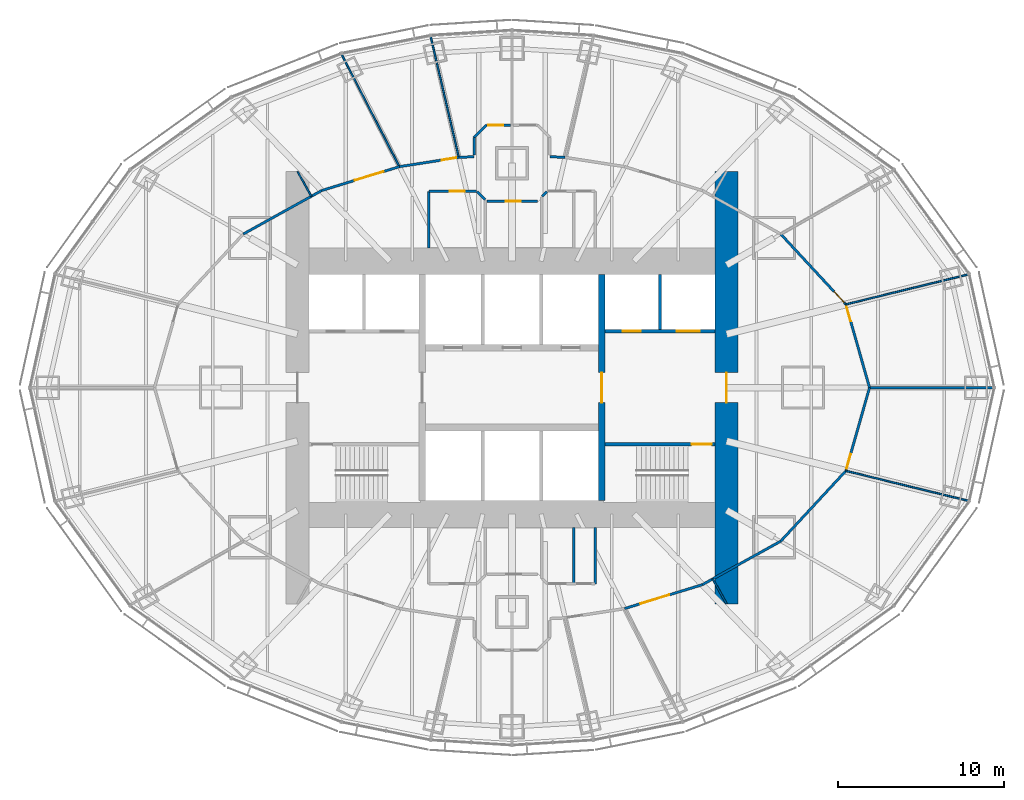
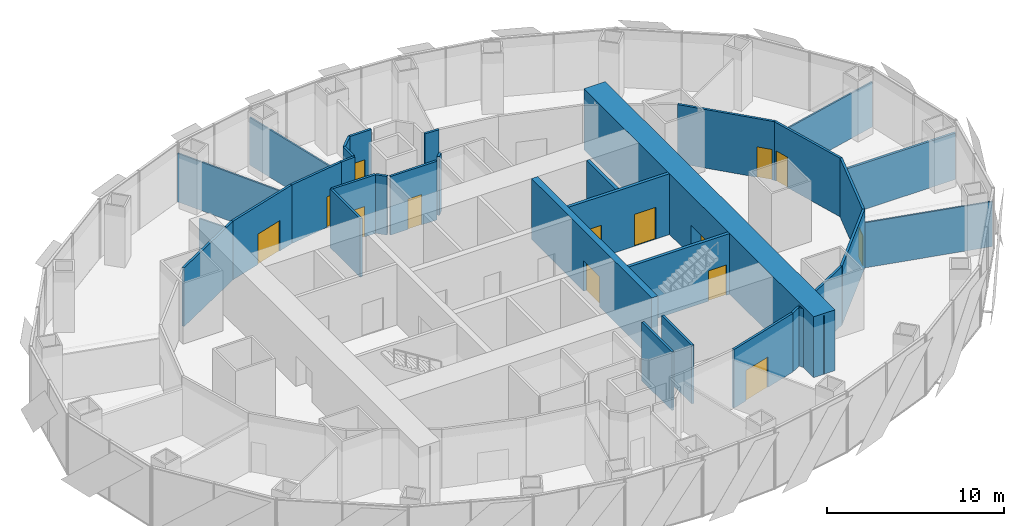
# One storey, part 12 of 17: 33 walls, 14 doors, 14 openings.
"""IFC4 building model written with IfcOpenShell, lengths in metres."""

from ifc_helpers import new_model, si_unit, direction, frame, frame_2d, origin, place, context, subcontext, project, spatial, rectangle, extrude, material, layer, layer_set, type_object, element, fill, save


model = new_model("IFC4")

# Units and contexts
model_context = context("Model", 3, precision=1e-05, world=origin(), true_north=direction((0.0, 1.0)))
body_context = subcontext(model_context, "Body", "Model", "MODEL_VIEW")
ifc_project = project(units=[si_unit("LENGTHUNIT", "METRE"), si_unit("AREAUNIT", "SQUARE_METRE"), si_unit("VOLUMEUNIT", "CUBIC_METRE"), si_unit("PLANEANGLEUNIT", "RADIAN"), si_unit("MASSUNIT", "GRAM", prefix="KILO")], contexts=[model_context])

# Site, building, storey
site_placement = place(None, origin())
site = spatial("IfcSite", under=ifc_project, at=site_placement, CompositionType="ELEMENT")
building_placement = place(site_placement, origin())
building = spatial("IfcBuilding", under=site, at=building_placement, Name="Lantaw Convention Tower", CompositionType="ELEMENT")
storey_placement = place(building_placement, frame((0.0, 0.0, 155.199951171875)))
storey = spatial("IfcBuildingStorey", under=building, at=storey_placement, Name="L36", CompositionType="ELEMENT", Elevation=155.199951171875)

# Wall, opening, door
ifc_material_1 = material(Name="Concrete C60/75", Category="concrete")
ifc_layer_1 = layer(ifc_material_1, 1.39990234375)
ifc_layer_set_1 = layer_set([ifc_layer_1], Name="Core wall 1400")
wall_type_1 = type_object("IfcWallType", Name="Core wall 1400", PredefinedType="SHEAR", material=ifc_layer_set_1)
wall_1_placement = place(storey_placement, frame((12.89990234375, -13.0, 0.0), z_axis=(0.0, 0.0, 1.0), x_axis=(0.0, 1.0, 0.0)))
wall_1 = element("IfcWall", 1, at=wall_1_placement, inside=storey, type_object=wall_type_1, Name="Core wall E", PredefinedType="SHEAR", context=body_context, shape_type="SweptSolid", body=[
    extrude(rectangle(XDim=26.0, YDim=1.39990234375, at=frame_2d((13.0, 0.0))), origin(), (0.0, 0.0, 1.0), 4.199951171875),
])
opening_1_placement = place(wall_1_placement, frame((12.10009765625, 0.0, 0.0)))
opening_1 = element("IfcOpeningElement", 2, at=opening_1_placement, cuts=wall_1, Name="Opening L36.05", PredefinedType="OPENING", context=body_context, shape_type="SweptSolid", body=[
    extrude(rectangle(XDim=1.800048828125, YDim=2.10009765625, at=frame_2d((0.89990234375, 1.050048828125))), frame((0.0, 0.7099609375, 0.0), z_axis=(0.0, -1.0, 0.0), x_axis=(1.0, 0.0, 0.0)), (0.0, 0.0, 1.0), 1.419921875),
])
ifc_material_2 = material(Name="Steel, fire rated", Category="steel")
door_type_1 = type_object("IfcDoorType", Name="Lobby double door FD90", OperationType="DOUBLE_DOOR_DOUBLE_SWING", PredefinedType="DOOR", material=ifc_material_2)
door_1_placement = place(opening_1_placement, origin())
door_1 = element("IfcDoor", 3, at=door_1_placement, inside=storey, type_object=door_type_1, Name="Firefighting lobby door", OperationType="DOUBLE_DOOR_DOUBLE_SWING", OverallHeight=2.10009765625, OverallWidth=1.800048828125, PredefinedType="DOOR", context=body_context, shape_type="SweptSolid", body=[
    extrude(rectangle(XDim=1.800048828125, YDim=2.10009765625, at=frame_2d((0.89990234375, 1.050048828125))), frame((0.0, 0.02490234375, 0.0), z_axis=(0.0, -1.0, 0.0), x_axis=(1.0, 0.0, 0.0)), (0.0, 0.0, 1.0), 0.050048828125),
])
fill(opening_1, door_1)

ifc_layer_2 = layer(ifc_material_1, 0.199951171875)
ifc_layer_set_2 = layer_set([ifc_layer_2], Name="Core wall 200")
wall_type_2 = type_object("IfcWallType", Name="Core wall 200", PredefinedType="SHEAR", material=ifc_layer_set_2)
wall_2_placement = place(storey_placement, frame((5.60009765625, -3.39990234375, 0.0), z_axis=(0.0, 0.0, 1.0), x_axis=(1.0, 0.0, 0.0)))
wall_2 = element("IfcWall", 4, at=wall_2_placement, inside=storey, type_object=wall_type_2, Name="Core wall ES", PredefinedType="SHEAR", context=body_context, shape_type="SweptSolid", body=[
    extrude(rectangle(XDim=6.599853515625, YDim=0.199951171875, at=frame_2d((3.2998046875, 0.0))), origin(), (0.0, 0.0, 1.0), 4.199951171875),
])
opening_2_placement = place(wall_2_placement, frame((5.199951171875, 0.0, 0.0)))
opening_2 = element("IfcOpeningElement", 5, at=opening_2_placement, cuts=wall_2, Name="Opening L36.03", PredefinedType="OPENING", context=body_context, shape_type="SweptSolid", body=[
    extrude(rectangle(XDim=1.199951171875, YDim=2.10009765625, at=frame_2d((0.60009765625, 1.050048828125))), frame((0.0, 0.10986328125, 0.0), z_axis=(0.0, -1.0, 0.0), x_axis=(1.0, 0.0, 0.0)), (0.0, 0.0, 1.0), 0.219970703125),
])
door_type_2 = type_object("IfcDoorType", Name="Stair door FD90", OperationType="SINGLE_SWING_RIGHT", PredefinedType="DOOR", material=ifc_material_2)
door_2_placement = place(opening_2_placement, origin())
door_2 = element("IfcDoor", 6, at=door_2_placement, inside=storey, type_object=door_type_2, Name="Exit stair door", OperationType="SINGLE_SWING_RIGHT", OverallHeight=2.10009765625, OverallWidth=1.199951171875, PredefinedType="DOOR", context=body_context, shape_type="SweptSolid", body=[
    extrude(rectangle(XDim=1.199951171875, YDim=2.10009765625, at=frame_2d((0.60009765625, 1.050048828125))), frame((0.0, 0.02490234375, 0.0), z_axis=(0.0, -1.0, 0.0), x_axis=(1.0, 0.0, 0.0)), (0.0, 0.0, 1.0), 0.050048828125),
])
fill(opening_2, door_2)

ifc_layer_3 = layer(ifc_material_1, 0.39990234375)
ifc_layer_set_3 = layer_set([ifc_layer_3], Name="Core wall 400")
wall_type_3 = type_object("IfcWallType", Name="Core wall 400", PredefinedType="SHEAR", material=ifc_layer_set_3)
wall_3_placement = place(storey_placement, frame((5.39990234375, -6.800048828125, 0.0), z_axis=(0.0, 0.0, 1.0), x_axis=(0.0, 1.0, 0.0)))
wall_3 = element("IfcWall", 7, at=wall_3_placement, inside=storey, type_object=wall_type_3, Name="Core wall XE", PredefinedType="SHEAR", context=body_context, shape_type="SweptSolid", body=[
    extrude(rectangle(XDim=13.60009765625, YDim=0.39990234375, at=frame_2d((6.800048828125, 0.0))), origin(), (0.0, 0.0, 1.0), 4.199951171875),
])
opening_3_placement = place(wall_3_placement, frame((5.89990234375, 0.0, 0.0)))
opening_3 = element("IfcOpeningElement", 8, at=opening_3_placement, cuts=wall_3, Name="Opening L36.01", PredefinedType="OPENING", context=body_context, shape_type="SweptSolid", body=[
    extrude(rectangle(XDim=1.800048828125, YDim=2.10009765625, at=frame_2d((0.89990234375, 1.050048828125))), frame((0.0, 0.2099609375, 0.0), z_axis=(0.0, -1.0, 0.0), x_axis=(1.0, 0.0, 0.0)), (0.0, 0.0, 1.0), 0.419921875),
])
door_3_placement = place(opening_3_placement, origin())
door_3 = element("IfcDoor", 9, at=door_3_placement, inside=storey, type_object=door_type_1, Name="Lift lobby door", OperationType="DOUBLE_DOOR_DOUBLE_SWING", OverallHeight=2.10009765625, OverallWidth=1.800048828125, PredefinedType="DOOR", context=body_context, shape_type="SweptSolid", body=[
    extrude(rectangle(XDim=1.800048828125, YDim=2.10009765625, at=frame_2d((0.89990234375, 1.050048828125))), frame((0.0, 0.02490234375, 0.0), z_axis=(0.0, -1.0, 0.0), x_axis=(1.0, 0.0, 0.0)), (0.0, 0.0, 1.0), 0.050048828125),
])
fill(opening_3, door_3)

ifc_material_3 = material(Name="Gypsum board on steel studs, fire rated", Category="steel")
ifc_layer_4 = layer(ifc_material_3, 0.14990234375)
ifc_layer_set_4 = layer_set([ifc_layer_4], Name="Corridor wall 150 EI 60")
wall_type_4 = type_object("IfcWallType", Name="Corridor wall 150 EI 60", PredefinedType="PARTITIONING", material=ifc_layer_set_4)
wall_4_placement = place(storey_placement, frame((21.5, 0.0, 0.0), z_axis=(0.0, 0.0, 1.0), x_axis=(-0.273177936169, 0.961963520717, 0.0)))
wall_4 = element("IfcWall", 10, at=wall_4_placement, inside=storey, type_object=wall_type_4, Name="Corridor wall 150", PredefinedType="PARTITIONING", context=body_context, shape_type="SweptSolid", body=[
    extrude(rectangle(XDim=5.2041015625, YDim=0.14990234375, at=frame_2d((2.60205078125, 0.0))), origin(), (0.0, 0.0, 1.0), 4.050048828125),
])
opening_4_placement = place(wall_4_placement, frame((4.154052734375, 0.0, 0.0)))
opening_4 = element("IfcOpeningElement", 11, at=opening_4_placement, cuts=wall_4, Name="Opening L36.22", PredefinedType="OPENING", context=body_context, shape_type="SweptSolid", body=[
    extrude(rectangle(XDim=0.89990234375, YDim=2.10009765625, at=frame_2d((0.449951171875, 1.050048828125))), frame((0.0, 0.0849609375, 0.0), z_axis=(0.0, -1.0, 0.0), x_axis=(1.0, 0.0, 0.0)), (0.0, 0.0, 1.0), 0.169921875),
])
door_type_3 = type_object("IfcDoorType", Name="Office door 900 FD30", OperationType="SINGLE_SWING_LEFT", PredefinedType="DOOR", material=ifc_material_2)
door_4_placement = place(opening_4_placement, origin())
door_4 = element("IfcDoor", 12, at=door_4_placement, inside=storey, type_object=door_type_3, Name="Meeting room door", OperationType="SINGLE_SWING_LEFT", OverallHeight=2.10009765625, OverallWidth=0.89990234375, PredefinedType="DOOR", context=body_context, shape_type="SweptSolid", body=[
    extrude(rectangle(XDim=0.89990234375, YDim=2.10009765625, at=frame_2d((0.449951171875, 1.050048828125))), frame((0.0, 0.02490234375, 0.0), z_axis=(0.0, -1.0, 0.0), x_axis=(1.0, 0.0, 0.0)), (0.0, 0.0, 1.0), 0.050048828125),
])
fill(opening_4, door_4)

wall_5_placement = place(storey_placement, frame((20.078369140625, 5.006103515625, 0.0), z_axis=(0.0, 0.0, 1.0), x_axis=(-0.679724658223, 0.733467374191, 0.0)))
wall_5 = element("IfcWall", 13, at=wall_5_placement, inside=storey, type_object=wall_type_4, Name="Corridor wall 150", PredefinedType="PARTITIONING", context=body_context, shape_type="SweptSolid", body=[
    extrude(rectangle(XDim=5.764892578125, YDim=0.14990234375, at=frame_2d((2.88232421875, 0.0))), origin(), (0.0, 0.0, 1.0), 4.050048828125),
])
opening_5_placement = place(wall_5_placement, frame((0.14990234375, 0.0, 0.0)))
opening_5 = element("IfcOpeningElement", 14, at=opening_5_placement, cuts=wall_5, Name="Opening L36.23", PredefinedType="OPENING", context=body_context, shape_type="SweptSolid", body=[
    extrude(rectangle(XDim=0.89990234375, YDim=2.10009765625, at=frame_2d((0.449951171875, 1.050048828125))), frame((0.0, 0.0849609375, 0.0), z_axis=(0.0, -1.0, 0.0), x_axis=(1.0, 0.0, 0.0)), (0.0, 0.0, 1.0), 0.169921875),
])
door_5_placement = place(opening_5_placement, origin())
door_5 = element("IfcDoor", 15, at=door_5_placement, inside=storey, type_object=door_type_3, Name="Private office door", OperationType="SINGLE_SWING_LEFT", OverallHeight=2.10009765625, OverallWidth=0.89990234375, PredefinedType="DOOR", context=body_context, shape_type="SweptSolid", body=[
    extrude(rectangle(XDim=0.89990234375, YDim=2.10009765625, at=frame_2d((0.449951171875, 1.050048828125))), frame((0.0, 0.02490234375, 0.0), z_axis=(0.0, -1.0, 0.0), x_axis=(1.0, 0.0, 0.0)), (0.0, 0.0, 1.0), 0.050048828125),
])
fill(opening_5, door_5)

wall_6_placement = place(storey_placement, frame((-3.1962890625, 13.844482421875, 0.0), z_axis=(0.0, 0.0, 1.0), x_axis=(-0.98808911792, -0.153882731479, 0.0)))
wall_6 = element("IfcWall", 16, at=wall_6_placement, inside=storey, type_object=wall_type_4, Name="Corridor wall 150", PredefinedType="PARTITIONING", context=body_context, shape_type="SweptSolid", body=[
    extrude(rectangle(XDim=3.6171875, YDim=0.14990234375, at=frame_2d((1.80859375, 0.0))), origin(), (0.0, 0.0, 1.0), 4.050048828125),
])
opening_6_placement = place(wall_6_placement, frame((0.14990234375, 0.0, 0.0)))
opening_6 = element("IfcOpeningElement", 17, at=opening_6_placement, cuts=wall_6, Name="Opening L36.27", PredefinedType="OPENING", context=body_context, shape_type="SweptSolid", body=[
    extrude(rectangle(XDim=0.89990234375, YDim=2.10009765625, at=frame_2d((0.449951171875, 1.050048828125))), frame((0.0, 0.0849609375, 0.0), z_axis=(0.0, -1.0, 0.0), x_axis=(1.0, 0.0, 0.0)), (0.0, 0.0, 1.0), 0.169921875),
])
door_6_placement = place(opening_6_placement, origin())
door_6 = element("IfcDoor", 18, at=door_6_placement, inside=storey, type_object=door_type_3, Name="Private office door", OperationType="SINGLE_SWING_LEFT", OverallHeight=2.10009765625, OverallWidth=0.89990234375, PredefinedType="DOOR", context=body_context, shape_type="SweptSolid", body=[
    extrude(rectangle(XDim=0.89990234375, YDim=2.10009765625, at=frame_2d((0.449951171875, 1.050048828125))), frame((0.0, 0.02490234375, 0.0), z_axis=(0.0, -1.0, 0.0), x_axis=(1.0, 0.0, 0.0)), (0.0, 0.0, 1.0), 0.050048828125),
])
fill(opening_6, door_6)

wall_7_placement = place(storey_placement, frame((-6.7705078125, 13.287841796875, 0.0), z_axis=(0.0, 0.0, 1.0), x_axis=(-0.955892284323, -0.293717450573, 0.0)))
wall_7 = element("IfcWall", 19, at=wall_7_placement, inside=storey, type_object=wall_type_4, Name="Corridor wall 150", PredefinedType="PARTITIONING", context=body_context, shape_type="SweptSolid", body=[
    extrude(rectangle(XDim=4.889892578125, YDim=0.14990234375, at=frame_2d((2.44482421875, 0.0))), origin(), (0.0, 0.0, 1.0), 4.050048828125),
])
opening_7_placement = place(wall_7_placement, frame((1.008544921875, 0.0, 0.0)))
opening_7 = element("IfcOpeningElement", 20, at=opening_7_placement, cuts=wall_7, Name="Opening L36.28", PredefinedType="OPENING", context=body_context, shape_type="SweptSolid", body=[
    extrude(rectangle(XDim=1.800048828125, YDim=2.10009765625, at=frame_2d((0.89990234375, 1.050048828125))), frame((0.0, 0.0849609375, 0.0), z_axis=(0.0, -1.0, 0.0), x_axis=(1.0, 0.0, 0.0)), (0.0, 0.0, 1.0), 0.169921875),
])
door_type_4 = type_object("IfcDoorType", Name="Office double door 1800 FD30", OperationType="DOUBLE_DOOR_DOUBLE_SWING", PredefinedType="DOOR", material=ifc_material_2)
door_7_placement = place(opening_7_placement, origin())
door_7 = element("IfcDoor", 21, at=door_7_placement, inside=storey, type_object=door_type_4, Name="Tenant suite door", OperationType="DOUBLE_DOOR_DOUBLE_SWING", OverallHeight=2.10009765625, OverallWidth=1.800048828125, PredefinedType="DOOR", context=body_context, shape_type="SweptSolid", body=[
    extrude(rectangle(XDim=1.800048828125, YDim=2.10009765625, at=frame_2d((0.89990234375, 1.050048828125))), frame((0.0, 0.02490234375, 0.0), z_axis=(0.0, -1.0, 0.0), x_axis=(1.0, 0.0, 0.0)), (0.0, 0.0, 1.0), 0.050048828125),
])
fill(opening_7, door_7)

# Wall
wall_8_placement = place(storey_placement, frame((-11.44482421875, 11.8515625, 0.0), z_axis=(0.0, 0.0, 1.0), x_axis=(-0.87433873028, -0.485316169865, 0.0)))
element("IfcWall", 22, at=wall_8_placement, inside=storey, type_object=wall_type_4, Name="Corridor wall 150", PredefinedType="PARTITIONING", context=body_context, shape_type="SweptSolid", body=[
    extrude(rectangle(XDim=5.392822265625, YDim=0.14990234375, at=frame_2d((2.6962890625, 0.0))), origin(), (0.0, 0.0, 1.0), 4.050048828125),
])

# Wall, opening, door
wall_9_placement = place(storey_placement, frame((6.7705078125, -13.287841796875, 0.0), z_axis=(0.0, 0.0, 1.0), x_axis=(0.955892284323, 0.293717450573, 0.0)))
wall_9 = element("IfcWall", 23, at=wall_9_placement, inside=storey, type_object=wall_type_4, Name="Corridor wall 150", PredefinedType="PARTITIONING", context=body_context, shape_type="SweptSolid", body=[
    extrude(rectangle(XDim=4.889892578125, YDim=0.14990234375, at=frame_2d((2.44482421875, 0.0))), origin(), (0.0, 0.0, 1.0), 4.050048828125),
])
opening_8_placement = place(wall_9_placement, frame((1.008544921875, 0.0, 0.0)))
opening_8 = element("IfcOpeningElement", 24, at=opening_8_placement, cuts=wall_9, Name="Opening L36.36", PredefinedType="OPENING", context=body_context, shape_type="SweptSolid", body=[
    extrude(rectangle(XDim=1.800048828125, YDim=2.10009765625, at=frame_2d((0.89990234375, 1.050048828125))), frame((0.0, 0.0849609375, 0.0), z_axis=(0.0, -1.0, 0.0), x_axis=(1.0, 0.0, 0.0)), (0.0, 0.0, 1.0), 0.169921875),
])
door_8_placement = place(opening_8_placement, origin())
door_8 = element("IfcDoor", 25, at=door_8_placement, inside=storey, type_object=door_type_4, Name="Tenant suite door", OperationType="DOUBLE_DOOR_DOUBLE_SWING", OverallHeight=2.10009765625, OverallWidth=1.800048828125, PredefinedType="DOOR", context=body_context, shape_type="SweptSolid", body=[
    extrude(rectangle(XDim=1.800048828125, YDim=2.10009765625, at=frame_2d((0.89990234375, 1.050048828125))), frame((0.0, 0.02490234375, 0.0), z_axis=(0.0, -1.0, 0.0), x_axis=(1.0, 0.0, 0.0)), (0.0, 0.0, 1.0), 0.050048828125),
])
fill(opening_8, door_8)

# Walls
wall_10_placement = place(storey_placement, frame((11.44482421875, -11.8515625, 0.0), z_axis=(0.0, 0.0, 1.0), x_axis=(0.87433873028, 0.485316169865, 0.0)))
element("IfcWall", 26, at=wall_10_placement, inside=storey, type_object=wall_type_4, Name="Corridor wall 150", PredefinedType="PARTITIONING", context=body_context, shape_type="SweptSolid", body=[
    extrude(rectangle(XDim=5.392822265625, YDim=0.14990234375, at=frame_2d((2.6962890625, 0.0))), origin(), (0.0, 0.0, 1.0), 4.050048828125),
])
wall_11_placement = place(storey_placement, frame((16.159912109375, -9.234375, 0.0), z_axis=(0.0, 0.0, 1.0), x_axis=(0.679724658223, 0.733467374191, 0.0)))
element("IfcWall", 27, at=wall_11_placement, inside=storey, type_object=wall_type_4, Name="Corridor wall 150", PredefinedType="PARTITIONING", context=body_context, shape_type="SweptSolid", body=[
    extrude(rectangle(XDim=5.764892578125, YDim=0.14990234375, at=frame_2d((2.88232421875, 0.0))), origin(), (0.0, 0.0, 1.0), 4.050048828125),
])

# Wall, opening, door
wall_12_placement = place(storey_placement, frame((20.078369140625, -5.006103515625, 0.0), z_axis=(0.0, 0.0, 1.0), x_axis=(0.273177936169, 0.961963520717, 0.0)))
wall_12 = element("IfcWall", 28, at=wall_12_placement, inside=storey, type_object=wall_type_4, Name="Corridor wall 150", PredefinedType="PARTITIONING", context=body_context, shape_type="SweptSolid", body=[
    extrude(rectangle(XDim=5.2041015625, YDim=0.14990234375, at=frame_2d((2.60205078125, 0.0))), origin(), (0.0, 0.0, 1.0), 4.050048828125),
])
opening_9_placement = place(wall_12_placement, frame((0.14990234375, 0.0, 0.0)))
opening_9 = element("IfcOpeningElement", 29, at=opening_9_placement, cuts=wall_12, Name="Opening L36.37", PredefinedType="OPENING", context=body_context, shape_type="SweptSolid", body=[
    extrude(rectangle(XDim=0.89990234375, YDim=2.10009765625, at=frame_2d((0.449951171875, 1.050048828125))), frame((0.0, 0.0849609375, 0.0), z_axis=(0.0, -1.0, 0.0), x_axis=(1.0, 0.0, 0.0)), (0.0, 0.0, 1.0), 0.169921875),
])
door_9_placement = place(opening_9_placement, origin())
door_9 = element("IfcDoor", 30, at=door_9_placement, inside=storey, type_object=door_type_3, Name="Pantry door", OperationType="SINGLE_SWING_LEFT", OverallHeight=2.10009765625, OverallWidth=0.89990234375, PredefinedType="DOOR", context=body_context, shape_type="SweptSolid", body=[
    extrude(rectangle(XDim=0.89990234375, YDim=2.10009765625, at=frame_2d((0.449951171875, 1.050048828125))), frame((0.0, 0.02490234375, 0.0), z_axis=(0.0, -1.0, 0.0), x_axis=(1.0, 0.0, 0.0)), (0.0, 0.0, 1.0), 0.050048828125),
])
fill(opening_9, door_9)

# Walls
for number, where, z_axis, x_axis, name in (
    (31, (3.1962890625, 13.844482421875, 0.0), (0.0, 0.0, 1.0), (-0.998826757305, 0.048426324366, 0.0), "Corridor wall 150"),
    (32, (-2.294921875, 13.88818359375, 0.0), (0.0, 0.0, 1.0), (-0.998826757305, -0.048426324366, 0.0), "Corridor wall 150"),
):
    element("IfcWall", number, at=place(storey_placement, frame(where, z_axis=z_axis, x_axis=x_axis)), inside=storey, type_object=wall_type_4, Name=name, PredefinedType="PARTITIONING", context=body_context, shape_type="SweptSolid", body=[
        extrude(rectangle(XDim=0.90234375, YDim=0.14990234375, at=frame_2d((0.451171875, 0.0))), origin(), (0.0, 0.0, 1.0), 4.050048828125),
    ])
wall_13_placement = place(storey_placement, frame((-2.284912109375, 13.989990234375, 0.0), z_axis=(0.0, 0.0, 1.0), x_axis=(0.0, 1.0, 0.0)))
element("IfcWall", 33, at=wall_13_placement, inside=storey, type_object=wall_type_4, Name="Corridor wall 150", PredefinedType="PARTITIONING", context=body_context, shape_type="SweptSolid", body=[
    extrude(rectangle(XDim=1.042236328125, YDim=0.14990234375, at=frame_2d((0.52099609375, 0.0))), origin(), (0.0, 0.0, 1.0), 4.050048828125),
])
wall_14_placement = place(storey_placement, frame((-2.284912109375, 15.0322265625, 0.0), z_axis=(0.0, 0.0, 1.0), x_axis=(0.707106781187, 0.707106781187, 0.0)))
element("IfcWall", 34, at=wall_14_placement, inside=storey, type_object=wall_type_4, Name="Corridor wall 150", PredefinedType="PARTITIONING", context=body_context, shape_type="SweptSolid", body=[
    extrude(rectangle(XDim=1.064453125, YDim=0.14990234375, at=frame_2d((0.5322265625, 0.0))), origin(), (0.0, 0.0, 1.0), 4.050048828125),
])

# Wall, opening, door
wall_15_placement = place(storey_placement, frame((-1.5322265625, 15.784912109375, 0.0), z_axis=(0.0, 0.0, 1.0), x_axis=(1.0, 0.0, 0.0)))
wall_15 = element("IfcWall", 35, at=wall_15_placement, inside=storey, type_object=wall_type_4, Name="Corridor wall 150", PredefinedType="PARTITIONING", context=body_context, shape_type="SweptSolid", body=[
    extrude(rectangle(XDim=1.428955078125, YDim=0.14990234375, at=frame_2d((0.71435546875, 0.0))), origin(), (0.0, 0.0, 1.0), 4.050048828125),
])
opening_10_placement = place(wall_15_placement, frame((0.10009765625, 0.0, 0.0)))
opening_10 = element("IfcOpeningElement", 36, at=opening_10_placement, cuts=wall_15, Name="Opening L36.26", PredefinedType="OPENING", context=body_context, shape_type="SweptSolid", body=[
    extrude(rectangle(XDim=0.89990234375, YDim=2.10009765625, at=frame_2d((0.449951171875, 1.050048828125))), frame((0.0, 0.0849609375, 0.0), z_axis=(0.0, -1.0, 0.0), x_axis=(1.0, 0.0, 0.0)), (0.0, 0.0, 1.0), 0.169921875),
])
door_10_placement = place(opening_10_placement, origin())
door_10 = element("IfcDoor", 37, at=door_10_placement, inside=storey, type_object=door_type_3, Name="Meeting room door", OperationType="SINGLE_SWING_LEFT", OverallHeight=2.10009765625, OverallWidth=0.89990234375, PredefinedType="DOOR", context=body_context, shape_type="SweptSolid", body=[
    extrude(rectangle(XDim=0.89990234375, YDim=2.10009765625, at=frame_2d((0.449951171875, 1.050048828125))), frame((0.0, 0.02490234375, 0.0), z_axis=(0.0, -1.0, 0.0), x_axis=(1.0, 0.0, 0.0)), (0.0, 0.0, 1.0), 0.050048828125),
])
fill(opening_10, door_10)

# Walls
ifc_material_4 = material(Name="Gypsum board on steel studs, acoustic", Category="steel")
ifc_layer_5 = layer(ifc_material_4, 0.10009765625)
ifc_layer_set_5 = layer_set([ifc_layer_5], Name="Office partition 100")
wall_type_5 = type_object("IfcWallType", Name="Office partition 100", PredefinedType="PARTITIONING", material=ifc_layer_set_5)
wall_16_placement = place(storey_placement, frame((27.440673828125, 6.808837890625, 0.0), z_axis=(0.0, 0.0, 1.0), x_axis=(-0.971305815804, -0.237834001323, 0.0)))
element("IfcWall", 38, at=wall_16_placement, inside=storey, type_object=wall_type_5, Name="Office partition 100", PredefinedType="PARTITIONING", context=body_context, shape_type="SweptSolid", body=[
    extrude(rectangle(XDim=7.579833984375, YDim=0.10009765625, at=frame_2d((3.7900390625, 0.0))), origin(), (0.0, 0.0, 1.0), 3.11279296875),
])
wall_17_placement = place(storey_placement, frame((-4.89697265625, 21.134765625, 0.0), z_axis=(0.0, 0.0, 1.0), x_axis=(0.227181159974, -0.973852514785, 0.0)))
element("IfcWall", 39, at=wall_17_placement, inside=storey, type_object=wall_type_5, Name="Office partition 100", PredefinedType="PARTITIONING", context=body_context, shape_type="SweptSolid", body=[
    extrude(rectangle(XDim=7.486083984375, YDim=0.10009765625, at=frame_2d((3.7431640625, 0.0))), origin(), (0.0, 0.0, 1.0), 3.293212890625),
])
wall_18_placement = place(storey_placement, frame((-10.25341796875, 20.0517578125, 0.0), z_axis=(0.0, 0.0, 1.0), x_axis=(0.457797505753, -0.88905649074, 0.0)))
element("IfcWall", 40, at=wall_18_placement, inside=storey, type_object=wall_type_5, Name="Office partition 100", PredefinedType="PARTITIONING", context=body_context, shape_type="SweptSolid", body=[
    extrude(rectangle(XDim=7.60791015625, YDim=0.10009765625, at=frame_2d((3.803955078125, 0.0))), origin(), (0.0, 0.0, 1.0), 3.34912109375),
])
wall_19_placement = place(storey_placement, frame((27.440673828125, -6.808837890625, 0.0), z_axis=(0.0, 0.0, 1.0), x_axis=(-0.971305815804, 0.237834001323, 0.0)))
element("IfcWall", 41, at=wall_19_placement, inside=storey, type_object=wall_type_5, Name="Office partition 100", PredefinedType="PARTITIONING", context=body_context, shape_type="SweptSolid", body=[
    extrude(rectangle(XDim=7.579833984375, YDim=0.10009765625, at=frame_2d((3.7900390625, 0.0))), origin(), (0.0, 0.0, 1.0), 3.11279296875),
])
for number, where, z_axis, x_axis, name in (
    (42, (12.89990234375, -13.0, 0.0), (0.0, 0.0, 1.0), (-0.485339901234, 0.87432555737, 0.0), "Office partition 100"),
    (43, (-12.89990234375, 13.0, 0.0), (0.0, 0.0, 1.0), (0.485339901234, -0.87432555737, 0.0), "Office partition 100"),
):
    element("IfcWall", number, at=place(storey_placement, frame(where, z_axis=z_axis, x_axis=x_axis)), inside=storey, type_object=wall_type_5, Name=name, PredefinedType="PARTITIONING", context=body_context, shape_type="SweptSolid", body=[
        extrude(rectangle(XDim=1.710205078125, YDim=0.10009765625, at=frame_2d((0.85498046875, 0.0))), origin(), (0.0, 0.0, 1.0), 4.050048828125),
    ])

# Wall, openings, doors
ifc_material_5 = material(Name="Concrete blockwork, fire rated", Category="masonry")
ifc_layer_6 = layer(ifc_material_5, 0.199951171875)
ifc_layer_set_6 = layer_set([ifc_layer_6], Name="Shaft wall 200")
wall_type_6 = type_object("IfcWallType", Name="Shaft wall 200", PredefinedType="SOLIDWALL", material=ifc_layer_set_6)
wall_20_placement = place(storey_placement, frame((12.199951171875, 3.39990234375, 0.0), z_axis=(0.0, 0.0, 1.0), x_axis=(-1.0, 0.0, 0.0)))
wall_20 = element("IfcWall", 44, at=wall_20_placement, inside=storey, type_object=wall_type_6, Name="Shaft wall EN", PredefinedType="SOLIDWALL", context=body_context, shape_type="SweptSolid", body=[
    extrude(rectangle(XDim=6.599853515625, YDim=0.199951171875, at=frame_2d((3.2998046875, 0.0))), origin(), (0.0, 0.0, 1.0), 4.199951171875),
])
opening_11_placement = place(wall_20_placement, frame((4.449951171875, 0.0, 0.0)))
opening_11 = element("IfcOpeningElement", 45, at=opening_11_placement, cuts=wall_20, Name="Opening L36.12", PredefinedType="OPENING", context=body_context, shape_type="SweptSolid", body=[
    extrude(rectangle(XDim=1.10009765625, YDim=2.199951171875, at=frame_2d((0.550048828125, 1.10009765625))), frame((0.0, 0.10986328125, 0.0), z_axis=(0.0, -1.0, 0.0), x_axis=(1.0, 0.0, 0.0)), (0.0, 0.0, 1.0), 0.219970703125),
])
opening_12_placement = place(wall_20_placement, frame((0.89990234375, 0.0, 0.0)))
opening_12 = element("IfcOpeningElement", 46, at=opening_12_placement, cuts=wall_20, Name="Opening L36.13", PredefinedType="OPENING", context=body_context, shape_type="SweptSolid", body=[
    extrude(rectangle(XDim=1.39990234375, YDim=2.199951171875, at=frame_2d((0.699951171875, 1.10009765625))), frame((0.0, 0.10986328125, 0.0), z_axis=(0.0, -1.0, 0.0), x_axis=(1.0, 0.0, 0.0)), (0.0, 0.0, 1.0), 0.219970703125),
])
ifc_material_6 = material(Name="Stainless steel", Category="steel")
door_type_5 = type_object("IfcDoorType", Name="Lift landing door 1100", OperationType="DOUBLE_DOOR_SLIDING", PredefinedType="DOOR", material=ifc_material_6)
door_11_placement = place(opening_11_placement, origin())
door_11 = element("IfcDoor", 47, at=door_11_placement, inside=storey, type_object=door_type_5, Name="Lift landing door FF2", OperationType="DOUBLE_DOOR_SLIDING", OverallHeight=2.199951171875, OverallWidth=1.10009765625, PredefinedType="DOOR", context=body_context, shape_type="SweptSolid", body=[
    extrude(rectangle(XDim=1.10009765625, YDim=2.199951171875, at=frame_2d((0.550048828125, 1.10009765625))), frame((0.0, 0.02490234375, 0.0), z_axis=(0.0, -1.0, 0.0), x_axis=(1.0, 0.0, 0.0)), (0.0, 0.0, 1.0), 0.050048828125),
])
fill(opening_11, door_11)
door_type_6 = type_object("IfcDoorType", Name="Lift landing door 1400", OperationType="DOUBLE_DOOR_SLIDING", PredefinedType="DOOR", material=ifc_material_6)
door_12_placement = place(opening_12_placement, origin())
door_12 = element("IfcDoor", 48, at=door_12_placement, inside=storey, type_object=door_type_6, Name="Lift landing door SV2", OperationType="DOUBLE_DOOR_SLIDING", OverallHeight=2.199951171875, OverallWidth=1.39990234375, PredefinedType="DOOR", context=body_context, shape_type="SweptSolid", body=[
    extrude(rectangle(XDim=1.39990234375, YDim=2.199951171875, at=frame_2d((0.699951171875, 1.10009765625))), frame((0.0, 0.02490234375, 0.0), z_axis=(0.0, -1.0, 0.0), x_axis=(1.0, 0.0, 0.0)), (0.0, 0.0, 1.0), 0.050048828125),
])
fill(opening_12, door_12)

# Walls
wall_21_placement = place(storey_placement, frame((8.89990234375, 3.5, 0.0), z_axis=(0.0, 0.0, 1.0), x_axis=(0.0, 1.0, 0.0)))
element("IfcWall", 49, at=wall_21_placement, inside=storey, type_object=wall_type_6, Name="Shaft wall ED", PredefinedType="SOLIDWALL", context=body_context, shape_type="SweptSolid", body=[
    extrude(rectangle(XDim=3.300048828125, YDim=0.199951171875, at=frame_2d((1.64990234375, 0.0))), origin(), (0.0, 0.0, 1.0), 4.199951171875),
])
ifc_layer_7 = layer(ifc_material_3, 0.14990234375)
ifc_layer_set_7 = layer_set([ifc_layer_7], Name="Tenant separation wall 150 EI 60")
wall_type_7 = type_object("IfcWallType", Name="Tenant separation wall 150 EI 60", PredefinedType="PARTITIONING", material=ifc_layer_set_7)
wall_22_placement = place(storey_placement, frame((28.944091796875, 0.0, 0.0), z_axis=(0.0, 0.0, 1.0), x_axis=(-1.0, 0.0, 0.0)))
element("IfcWall", 50, at=wall_22_placement, inside=storey, type_object=wall_type_7, Name="Tenant separation wall 150", PredefinedType="PARTITIONING", context=body_context, shape_type="SweptSolid", body=[
    extrude(rectangle(XDim=7.444091796875, YDim=0.14990234375, at=frame_2d((3.72216796875, 0.0))), origin(), (0.0, 0.0, 1.0), 3.204345703125),
])
ifc_material_7 = material(Name="Concrete blockwork", Category="masonry")
ifc_layer_8 = layer(ifc_material_7, 0.14990234375)
ifc_layer_set_8 = layer_set([ifc_layer_8], Name="WC wall 150")
wall_type_8 = type_object("IfcWallType", Name="WC wall 150", PredefinedType="SOLIDWALL", material=ifc_layer_set_8)
for number, where, z_axis, x_axis, name in (
    (51, (-5.0, 8.39990234375, 0.0), (0.0, 0.0, 1.0), (0.0, 1.0, 0.0), "WC wall 150"),
    (52, (5.0, -8.39990234375, 0.0), (0.0, 0.0, 1.0), (0.0, -1.0, 0.0), "WC wall 150"),
    (53, (3.699951171875, -8.39990234375, 0.0), (0.0, 0.0, 1.0), (0.0, -1.0, 0.0), "WC wall 150"),
):
    element("IfcWall", number, at=place(storey_placement, frame(where, z_axis=z_axis, x_axis=x_axis)), inside=storey, type_object=wall_type_8, Name=name, PredefinedType="SOLIDWALL", context=body_context, shape_type="SweptSolid", body=[
        extrude(rectangle(XDim=3.400146484375, YDim=0.14990234375, at=frame_2d((1.7001953125, 0.0))), origin(), (0.0, 0.0, 1.0), 4.050048828125),
    ])

# Wall, opening, door
wall_23_placement = place(storey_placement, frame((-5.0, 11.800048828125, 0.0), z_axis=(0.0, 0.0, 1.0), x_axis=(1.0, 0.0, 0.0)))
wall_23 = element("IfcWall", 54, at=wall_23_placement, inside=storey, type_object=wall_type_8, Name="WC wall 150", PredefinedType="SOLIDWALL", context=body_context, shape_type="SweptSolid", body=[
    extrude(rectangle(XDim=2.86865234375, YDim=0.14990234375, at=frame_2d((1.434326171875, 0.0))), origin(), (0.0, 0.0, 1.0), 4.050048828125),
])
opening_13_placement = place(wall_23_placement, frame((1.25, 0.0, 0.0)))
opening_13 = element("IfcOpeningElement", 55, at=opening_13_placement, cuts=wall_23, Name="Opening L36.14", PredefinedType="OPENING", context=body_context, shape_type="SweptSolid", body=[
    extrude(rectangle(XDim=0.89990234375, YDim=2.10009765625, at=frame_2d((0.449951171875, 1.050048828125))), frame((0.0, 0.0849609375, 0.0), z_axis=(0.0, -1.0, 0.0), x_axis=(1.0, 0.0, 0.0)), (0.0, 0.0, 1.0), 0.169921875),
])
ifc_material_8 = material(Name="Timber", Category="wood")
door_type_7 = type_object("IfcDoorType", Name="WC door 900", OperationType="SINGLE_SWING_LEFT", PredefinedType="DOOR", material=ifc_material_8)
door_13_placement = place(opening_13_placement, origin())
door_13 = element("IfcDoor", 56, at=door_13_placement, inside=storey, type_object=door_type_7, Name="Male WC door", OperationType="SINGLE_SWING_LEFT", OverallHeight=2.10009765625, OverallWidth=0.89990234375, PredefinedType="DOOR", context=body_context, shape_type="SweptSolid", body=[
    extrude(rectangle(XDim=0.89990234375, YDim=2.10009765625, at=frame_2d((0.449951171875, 1.050048828125))), frame((0.0, 0.02490234375, 0.0), z_axis=(0.0, -1.0, 0.0), x_axis=(1.0, 0.0, 0.0)), (0.0, 0.0, 1.0), 0.050048828125),
])
fill(opening_13, door_13)

# Wall
wall_24_placement = place(storey_placement, frame((-1.615966796875, 11.298583984375, 0.0), z_axis=(0.0, 0.0, 1.0), x_axis=(-0.706928959799, 0.707284557867, 0.0)))
element("IfcWall", 57, at=wall_24_placement, inside=storey, type_object=wall_type_8, Name="WC wall 150", PredefinedType="SOLIDWALL", context=body_context, shape_type="SweptSolid", body=[
    extrude(rectangle(XDim=0.6865234375, YDim=0.14990234375, at=frame_2d((0.34326171875, 0.0))), origin(), (0.0, 0.0, 1.0), 4.050048828125),
])

# Wall, opening, door
wall_25_placement = place(storey_placement, frame((1.5322265625, 11.215087890625, 0.0), z_axis=(0.0, 0.0, 1.0), x_axis=(-1.0, 0.0, 0.0)))
wall_25 = element("IfcWall", 58, at=wall_25_placement, inside=storey, type_object=wall_type_8, Name="WC wall 150", PredefinedType="SOLIDWALL", context=body_context, shape_type="SweptSolid", body=[
    extrude(rectangle(XDim=3.02734375, YDim=0.14990234375, at=frame_2d((1.513671875, 0.0))), origin(), (0.0, 0.0, 1.0), 4.050048828125),
])
opening_14_placement = place(wall_25_placement, frame((1.0, 0.0, 0.0)))
opening_14 = element("IfcOpeningElement", 59, at=opening_14_placement, cuts=wall_25, Name="Opening L36.15", PredefinedType="OPENING", context=body_context, shape_type="SweptSolid", body=[
    extrude(rectangle(XDim=0.89990234375, YDim=2.10009765625, at=frame_2d((0.449951171875, 1.050048828125))), frame((0.0, 0.0849609375, 0.0), z_axis=(0.0, -1.0, 0.0), x_axis=(1.0, 0.0, 0.0)), (0.0, 0.0, 1.0), 0.169921875),
])
door_14_placement = place(opening_14_placement, origin())
door_14 = element("IfcDoor", 60, at=door_14_placement, inside=storey, type_object=door_type_7, Name="Female WC door", OperationType="SINGLE_SWING_LEFT", OverallHeight=2.10009765625, OverallWidth=0.89990234375, PredefinedType="DOOR", context=body_context, shape_type="SweptSolid", body=[
    extrude(rectangle(XDim=0.89990234375, YDim=2.10009765625, at=frame_2d((0.449951171875, 1.050048828125))), frame((0.0, 0.02490234375, 0.0), z_axis=(0.0, -1.0, 0.0), x_axis=(1.0, 0.0, 0.0)), (0.0, 0.0, 1.0), 0.050048828125),
])
fill(opening_14, door_14)

# Wall
wall_26_placement = place(storey_placement, frame((2.101318359375, 11.7841796875, 0.0), z_axis=(0.0, 0.0, 1.0), x_axis=(-0.706804405012, -0.707409028113, 0.0)))
element("IfcWall", 61, at=wall_26_placement, inside=storey, type_object=wall_type_8, Name="WC wall 150", PredefinedType="SOLIDWALL", context=body_context, shape_type="SweptSolid", body=[
    extrude(rectangle(XDim=0.40380859375, YDim=0.14990234375, at=frame_2d((0.201904296875, 0.0))), origin(), (0.0, 0.0, 1.0), 4.050048828125),
])

save(model, "model.ifc")
